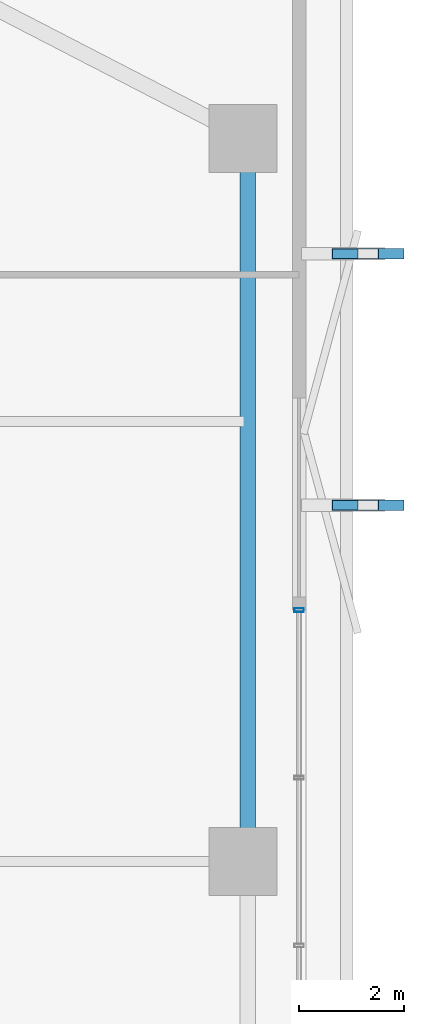
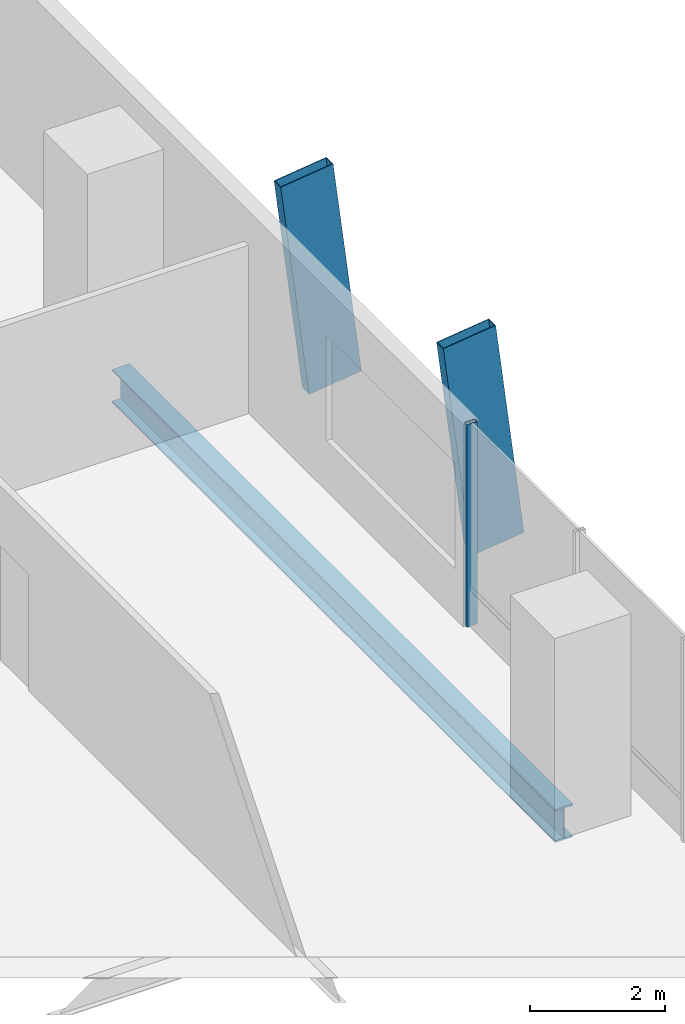
# One storey, part 25 of 34: 3 members, 1 beam, 1 element without a shape of its own.
"""IFC4 building model written with IfcOpenShell, lengths in metres."""

import ifcopenshell
import ifcopenshell.guid

model = None  # the IFC model being written
_history = None  # IfcOwnerHistory: only IFC2X3 demands one
_inside = {}  # id of a spatial element -> (the spatial element, [elements in it])
_under = {}  # id of a project, library or spatial element -> (it, [spatial elements below it])
_declared = {}  # id of a project -> (the project, [libraries it declares])
_typed = {}  # id of a type object -> (the type object, [elements of that type])
_made_of = {}  # id of a material, layer set ... -> (it, [elements and type objects made of it])


def new_model(schema):
    """Start an empty IFC model of exactly this schema.

    Asked for "IFC4X3", IfcOpenShell would pick the latest addendum, in which some entities
    have other attributes; the version numbers below select the first issue.
    IFC2X3 requires an IfcOwnerHistory on every rooted entity: one is made here for all.
    """
    global model, _history
    if schema == "IFC4X3":
        model = ifcopenshell.file(schema_version=(4, 3, 0, 0))
    else:
        model = ifcopenshell.file(schema=schema)
    _inside.clear()
    _under.clear()
    _declared.clear()
    _typed.clear()
    _made_of.clear()
    _history = None
    if model.schema == "IFC2X3":
        org = make("IfcOrganization", Name="unknown")
        user = make(
            "IfcPersonAndOrganization",
            ThePerson=make("IfcPerson", FamilyName="unknown"),
            TheOrganization=org,
        )
        app = make(
            "IfcApplication",
            ApplicationDeveloper=org,
            Version="unknown",
            ApplicationFullName="unknown",
            ApplicationIdentifier="unknown",
        )
        _history = make(
            "IfcOwnerHistory",
            OwningUser=user,
            OwningApplication=app,
            ChangeAction="ADDED",
            CreationDate=0,
        )
    return model


def make(cls, **values):
    """One entity of the class cls with the attributes given. An attribute that is None is left unset."""
    return model.create_entity(
        cls, **{name: value for name, value in values.items() if value is not None}
    )


def rooted(cls, **values):
    """An entity with a GlobalId (a new one), such as an element, a storey or a relation."""
    return make(cls, GlobalId=ifcopenshell.guid.new(), OwnerHistory=_history, **values)


def si_unit(unit_type, name, prefix=None):
    """IfcSIUnit, for example si_unit("LENGTHUNIT", "METRE", prefix="MILLI")."""
    return make("IfcSIUnit", UnitType=unit_type, Prefix=prefix, Name=name)


def assignment(units):
    """IfcUnitAssignment: the units of a project."""
    return None if units is None else make("IfcUnitAssignment", Units=units)


def point(xyz):
    """IfcCartesianPoint."""
    return None if xyz is None else make("IfcCartesianPoint", Coordinates=xyz)


def direction(xyz):
    """IfcDirection."""
    return None if xyz is None else make("IfcDirection", DirectionRatios=xyz)


def frame(location, z_axis=None, x_axis=None):
    """IfcAxis2Placement3D, a coordinate frame: its origin and axes. An axis left out is left unset."""
    return make(
        "IfcAxis2Placement3D",
        Location=point(location),
        Axis=direction(z_axis),
        RefDirection=direction(x_axis),
    )


def frame_2d(location, x_axis=None):
    """IfcAxis2Placement2D, a coordinate frame in the plane: its origin and x axis."""
    return make(
        "IfcAxis2Placement2D", Location=point(location), RefDirection=direction(x_axis)
    )


def origin():
    """The frame at (0, 0, 0) with its axes left unset."""
    return frame((0.0, 0.0, 0.0))


def origin_2d():
    """The frame at (0, 0) in the plane with its x axis left unset."""
    return frame_2d((0.0, 0.0))


def place(relative_to, where):
    """IfcLocalPlacement: puts the frame where relative to a parent placement (None: the world)."""
    return make(
        "IfcLocalPlacement", PlacementRelTo=relative_to, RelativePlacement=where
    )


def context(
    kind, dimensions, precision=None, world=None, true_north=None, identifier=None
):
    """IfcGeometricRepresentationContext, for example the 3D "Model" context."""
    return make(
        "IfcGeometricRepresentationContext",
        ContextIdentifier=identifier,
        ContextType=kind,
        CoordinateSpaceDimension=dimensions,
        Precision=precision,
        WorldCoordinateSystem=world,
        TrueNorth=true_north,
    )


def subcontext(parent, identifier, kind, view, scale=None):
    """IfcGeometricRepresentationSubContext, for example "Body" below "Model"."""
    return make(
        "IfcGeometricRepresentationSubContext",
        ContextIdentifier=identifier,
        ContextType=kind,
        ParentContext=parent,
        TargetScale=scale,
        TargetView=view,
    )


def project(units=None, contexts=None):
    """IfcProject with its units and contexts."""
    return rooted(
        "IfcProject",
        Name="project",
        RepresentationContexts=contexts,
        UnitsInContext=assignment(units),
    )


def spatial(cls, under=None, at=None, **own):
    """A site, building, storey or space (cls), placed at a placement, below another one or the project."""
    s = rooted(cls, ObjectPlacement=at, **own)
    if under is not None:
        _under.setdefault(under.id(), (under, []))[1].append(s)
    return s


def profile(cls, at=None, kind="AREA", **sizes):
    """A parametric profile (cls). Its sizes go by their IFC names, for example OverallWidth=200.0."""
    return make(cls, ProfileType=kind, Position=at, **sizes)


def hollow_rectangle(**sizes):
    """IfcRectangleHollowProfileDef."""
    return profile("IfcRectangleHollowProfileDef", **sizes)


def i_section(**sizes):
    """IfcIShapeProfileDef."""
    return profile("IfcIShapeProfileDef", **sizes)


def extrude(swept, where, along, depth):
    """IfcExtrudedAreaSolid: the profile swept, set in the frame where, extruded along a direction by depth."""
    return make(
        "IfcExtrudedAreaSolid",
        SweptArea=swept,
        Position=where,
        ExtrudedDirection=direction(along),
        Depth=depth,
    )


def shape(context_of_items, identifier, shape_type, items):
    """IfcShapeRepresentation: the items that make up one representation, for example the "Body"."""
    return make(
        "IfcShapeRepresentation",
        ContextOfItems=context_of_items,
        RepresentationIdentifier=identifier,
        RepresentationType=shape_type,
        Items=items,
    )


def material(Name=None, Category=None):
    """IfcMaterial."""
    return make("IfcMaterial", Name=Name, Category=Category)


def layer(
    of_material, thickness, ventilated=None, Name=None, Category=None, Priority=None
):
    """IfcMaterialLayer: one layer of a wall or slab, of a material (None: an air gap)."""
    return make(
        "IfcMaterialLayer",
        Material=of_material,
        LayerThickness=thickness,
        IsVentilated=ventilated,
        Name=Name,
        Category=Category,
        Priority=Priority,
    )


def layer_set(layers, Name=None):
    """IfcMaterialLayerSet."""
    return make("IfcMaterialLayerSet", MaterialLayers=layers, LayerSetName=Name)


def material_profile(
    of_material, cross_section, Name=None, Category=None, Priority=None
):
    """IfcMaterialProfile: a cross section and its material."""
    return make(
        "IfcMaterialProfile",
        Name=Name,
        Material=of_material,
        Profile=cross_section,
        Priority=Priority,
        Category=Category,
    )


def profile_set(profiles, Name=None, composite=None):
    """IfcMaterialProfileSet."""
    return make(
        "IfcMaterialProfileSet",
        Name=Name,
        MaterialProfiles=profiles,
        CompositeProfile=composite,
    )


def made_of(thing, what):
    """Note that an element or type object is made of a material, layer set ...; save() writes the relation."""
    if what is not None:
        _made_of.setdefault(what.id(), (what, []))[1].append(thing)
    return thing


def type_object(cls, material=None, **own):
    """A type object (cls), such as IfcWallType, which elements share."""
    return made_of(rooted(cls, **own), material)


def element(
    cls,
    number,
    at=None,
    inside=None,
    cuts=None,
    type_object=None,
    material=None,
    context=None,
    identifier="Body",
    shape_type=None,
    held_by="IfcProductDefinitionShape",
    body=None,
    shapes=None,
    **own,
):
    """One element of the class cls, such as IfcWall. Its Tag is "e" and its number.

    at: its placement. inside: the storey or other place that contains it. cuts: it is an
    opening in that element (IfcRelVoidsElement). A single representation is given by context,
    identifier, shape_type and body (its items); several are given by shapes. held_by: the class
    of the entity that holds the representations. save() writes the other relations.
    """
    e = rooted(cls, Tag="e%d" % number, ObjectPlacement=at, **own)
    if body is not None:
        shapes = [shape(context, identifier, shape_type, body)]
    if shapes is not None:
        e.Representation = make(held_by, Representations=shapes)
    if inside is not None:
        _inside.setdefault(inside.id(), (inside, []))[1].append(e)
    if cuts is not None:
        rooted(
            "IfcRelVoidsElement", RelatingBuildingElement=cuts, RelatedOpeningElement=e
        )
    if type_object is not None:
        _typed.setdefault(type_object.id(), (type_object, []))[1].append(e)
    return made_of(e, material)


def aggregate(whole, parts):
    """IfcRelAggregates: a whole, such as a stair, and the parts it consists of."""
    return rooted("IfcRelAggregates", RelatingObject=whole, RelatedObjects=parts)


def save(model, path):
    """Write the relations noted so far, then the file.

    IfcRelAggregates (storeys below a building ...), IfcRelContainedInSpatialStructure (elements
    in a storey), IfcRelDefinesByType, IfcRelAssociatesMaterial and IfcRelDeclares: one each for
    every whole, place, type object, material and project.
    """
    for whole, parts in _under.values():
        aggregate(whole, parts)
    for where, things in _inside.values():
        rooted(
            "IfcRelContainedInSpatialStructure",
            RelatedElements=things,
            RelatingStructure=where,
        )
    for kind, things in _typed.values():
        rooted("IfcRelDefinesByType", RelatedObjects=things, RelatingType=kind)
    for what, things in _made_of.values():
        rooted("IfcRelAssociatesMaterial", RelatedObjects=things, RelatingMaterial=what)
    for by, libraries in _declared.values():
        rooted("IfcRelDeclares", RelatingContext=by, RelatedDefinitions=libraries)
    model.write(path)


model = new_model("IFC4")

# Units and contexts
model_context = context("Model", 3, precision=1e-05, world=origin(), true_north=direction((0.0, 1.0)))
body_context = subcontext(model_context, "Body", "Model", "MODEL_VIEW")
ifc_project = project(units=[si_unit("LENGTHUNIT", "METRE"), si_unit("AREAUNIT", "SQUARE_METRE"), si_unit("VOLUMEUNIT", "CUBIC_METRE"), si_unit("PLANEANGLEUNIT", "RADIAN"), si_unit("MASSUNIT", "GRAM", prefix="KILO")], contexts=[model_context])

# Site, building, storey
site_placement = place(None, origin())
site = spatial("IfcSite", under=ifc_project, at=site_placement, CompositionType="ELEMENT")
building_placement = place(site_placement, origin())
building = spatial("IfcBuilding", under=site, at=building_placement, Name="Belovzor Exchange Tower", CompositionType="ELEMENT")
storey_placement = place(building_placement, frame((0.0, 0.0, 113.39990234375)))
storey = spatial("IfcBuildingStorey", under=building, at=storey_placement, Name="L27", CompositionType="ELEMENT", Elevation=113.39990234375)

# Members
ifc_material_1 = material(Name="Extruded Architectural Terracotta on Steel S355 Carrier", Category="masonry")
ifc_material_profile_1 = material_profile(ifc_material_1, hollow_rectangle(XDim=0.199951171875, YDim=0.89990234375, WallThickness=0.011962890625, at=origin_2d()))
ifc_profile_set_1 = profile_set([ifc_material_profile_1], Name="Extruded Architectural Terracotta on Steel S355 Carrier")
member_type_1 = type_object("IfcMemberType", Name="Sweeping Terracotta Baguette Fin Assembly 1250", PredefinedType="USERDEFINED", material=ifc_profile_set_1)
for number, where, z_axis, x_axis, name in (
    (1, (56.324951171875, 35.60009765625, -0.25), (-0.122880110894, 0.0, 0.992421522513), (0.0, -1.0, 0.0), "FIN-TC125 Terracotta Facade Fin L27 E3"),
    (2, (56.324951171875, 40.39990234375, -0.25), (-0.122880110894, 0.0, 0.992421522513), (0.0, -1.0, 0.0), "FIN-TC125 Terracotta Facade Fin L27 E4"),
):
    element("IfcMember", number, at=place(storey_placement, frame(where, z_axis=z_axis, x_axis=x_axis)), inside=storey, type_object=member_type_1, Name=name, ObjectType="FIN", PredefinedType="USERDEFINED", context=body_context, shape_type="SweptSolid", body=[
        extrude(hollow_rectangle(XDim=0.199951171875, YDim=0.89990234375, WallThickness=0.011962890625, at=origin_2d()), origin(), (0.0, 0.0, 1.0), 3.929931640625),
    ])

# Curtain wall, member
ifc_material_2 = material(Name="Anodised Aluminium Framing", Category="aluminium")
ifc_layer = layer(ifc_material_2, 0.179931640625)
ifc_layer_set = layer_set([ifc_layer], Name="Anodised Aluminium Framing")
curtain_wall_type = type_object("IfcCurtainWallType", Name="Recessed Loggia Low-Iron Triple-Glazed Curtain Wall", PredefinedType="NOTDEFINED", material=ifc_layer_set)
curtain_wall_placement = place(storey_placement, origin())
curtain_wall = element("IfcCurtainWall", 3, at=curtain_wall_placement, inside=storey, type_object=curtain_wall_type, Name="CW3 Recessed Loggia Low-Iron Triple-Glazed Curtain Wall L27", PredefinedType="NOTDEFINED")
ifc_material_3 = material(Name="Steel S355", Category="steel")
ifc_material_profile_2 = material_profile(ifc_material_3, hollow_rectangle(XDim=0.074951171875, YDim=0.179931640625, WallThickness=0.0048828125, at=origin_2d()))
ifc_profile_set_2 = profile_set([ifc_material_profile_2], Name="Steel S355")
member_type_2 = type_object("IfcMemberType", Name="Thermally Broken Curtain Wall Mullion 180x75", PredefinedType="MULLION", material=ifc_profile_set_2)
member_placement = place(storey_placement, frame((54.77001953125, 33.60009765625, 0.0), z_axis=(0.0, 0.0, 1.0), x_axis=(0.0, -1.0, 0.0)))
member = element("IfcMember", 4, at=member_placement, type_object=member_type_2, Name="CW-M180 Curtain Wall Mullion 1", PredefinedType="MULLION", context=body_context, shape_type="SweptSolid", body=[
    extrude(hollow_rectangle(XDim=0.074951171875, YDim=0.179931640625, WallThickness=0.0048828125, at=origin_2d()), origin(), (0.0, 0.0, 1.0), 3.650146484375),
])
aggregate(curtain_wall, [member])

# Beam
ifc_material_4 = material(Name="Steel S355", Category="steel")
ifc_material_profile_3 = material_profile(ifc_material_4, i_section(OverallWidth=0.300048828125, OverallDepth=0.60009765625, WebThickness=0.015380859375, FlangeThickness=0.030029296875, at=origin_2d()))
ifc_profile_set_3 = profile_set([ifc_material_profile_3], Name="Steel S355")
beam_type = type_object("IfcBeamType", Name="Zone 2 Primary Perimeter Girder HEB 600", PredefinedType="BEAM", material=ifc_profile_set_3)
beam_placement = place(storey_placement, frame((53.7919921875, 29.157958984375, -0.5498046875), z_axis=(0.0, 1.0, 0.0), x_axis=(-1.0, 0.0, 0.0)))
element("IfcBeam", 5, at=beam_placement, inside=storey, type_object=beam_type, Name="FG-Z2 Zone 2 Primary Perimeter Girder HEB 600", PredefinedType="BEAM", context=body_context, shape_type="SweptSolid", body=[
    extrude(i_section(OverallWidth=0.300048828125, OverallDepth=0.60009765625, WebThickness=0.015380859375, FlangeThickness=0.030029296875, at=origin_2d()), origin(), (0.0, 0.0, 1.0), 13.083984375),
])

save(model, "model.ifc")
